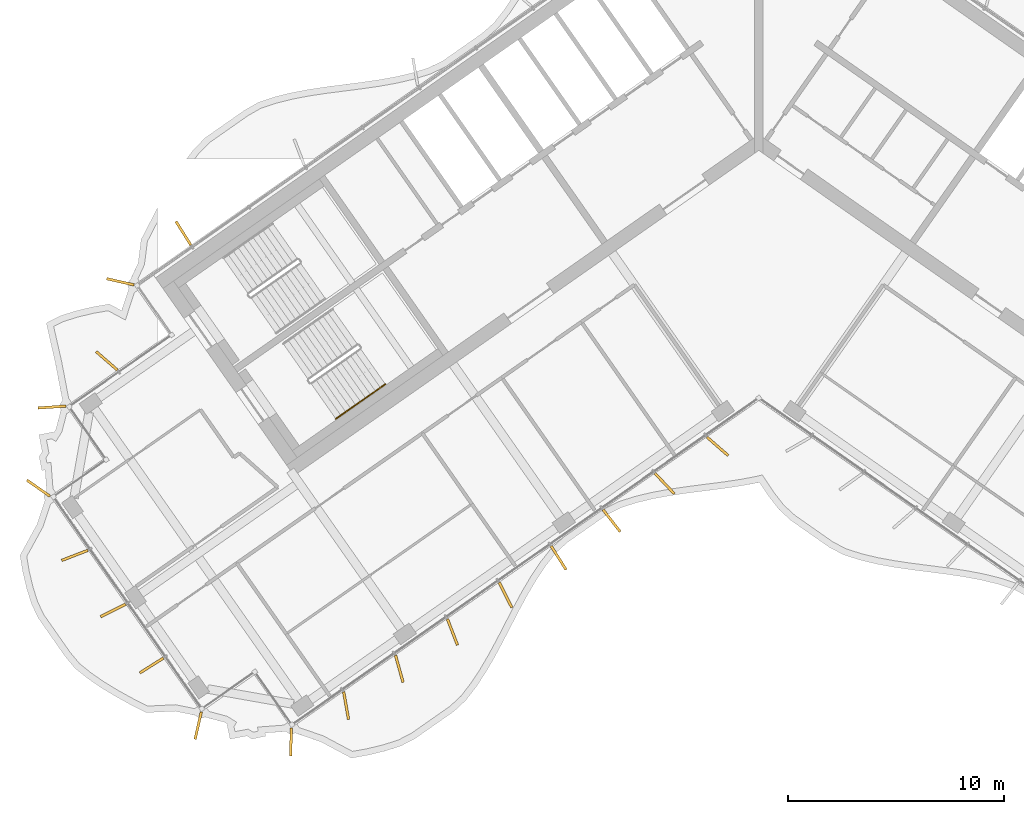
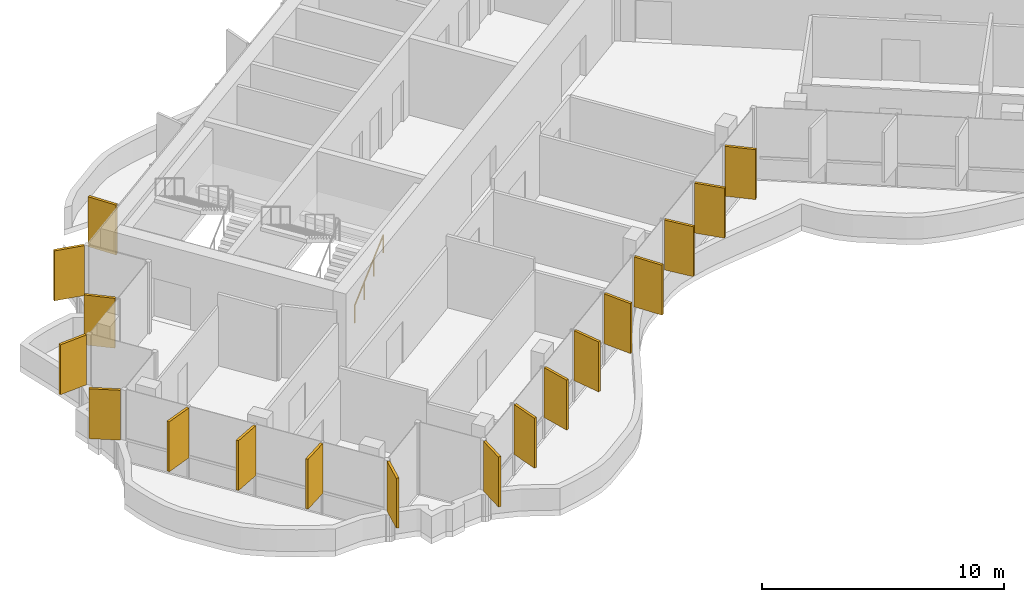
# One storey, part 16 of 20: 18 shading devices, 1 railing.
"""IFC4 building model written with IfcOpenShell, lengths in metres."""

from ifc_helpers import new_model, si_unit, direction, frame, origin, origin_2d, place, context, subcontext, project, spatial, rectangle, circle, extrude, material, layer, layer_set, type_object, element, save


model = new_model("IFC4")

# Units and contexts
model_context = context("Model", 3, precision=1e-05, world=origin(), true_north=direction((0.0, 1.0)))
body_context = subcontext(model_context, "Body", "Model", "MODEL_VIEW")
ifc_project = project(units=[si_unit("LENGTHUNIT", "METRE"), si_unit("AREAUNIT", "SQUARE_METRE"), si_unit("VOLUMEUNIT", "CUBIC_METRE"), si_unit("PLANEANGLEUNIT", "RADIAN"), si_unit("MASSUNIT", "GRAM", prefix="KILO")], contexts=[model_context])

# Site, building, storey
site_placement = place(None, origin())
site = spatial("IfcSite", under=ifc_project, at=site_placement, CompositionType="ELEMENT")
building_placement = place(site_placement, origin())
building = spatial("IfcBuilding", under=site, at=building_placement, Name="Tel Ilan Convention Tower", CompositionType="ELEMENT")
storey_placement = place(building_placement, frame((0.0, 0.0, 233.199951171875)))
storey = spatial("IfcBuildingStorey", under=building, at=storey_placement, Name="L54", CompositionType="ELEMENT", Elevation=233.199951171875)

# Shading devices
ifc_material_1 = material(Name="Aluminium, bronze anodised", Category="aluminium")
ifc_layer = layer(ifc_material_1, 0.1201171875)
ifc_layer_set = layer_set([ifc_layer], Name="FIN BRONZE 1300x120")
shading_device_type = type_object("IfcShadingDeviceType", Name="FIN BRONZE 1300x120", PredefinedType="USERDEFINED", material=ifc_layer_set)
for number, where, z_axis, x_axis, name in (
    (1, (-26.674072265625, -5.063720703125, 1.10009765625), (0.0, 0.0, 1.0), (-0.533204432798, 0.845986425922, 0.0), "FIN"),
    (2, (-29.594970703125, -7.31494140625, 1.10009765625), (0.0, 0.0, 1.0), (-0.975235208752, 0.221170268371, 0.0), "FIN"),
    (3, (-30.22607421875, -10.977294921875, 1.10009765625), (0.0, 0.0, 1.0), (-0.753435896329, 0.657521368568, 0.0), "FIN"),
    (4, (-32.76611328125, -13.12109375, 1.10009765625), (0.0, 0.0, 1.0), (-0.997697449973, -0.067821812994, 0.0), "FIN"),
    (5, (-33.3974609375, -16.88037109375, 1.10009765625), (0.0, 0.0, 1.0), (-0.819152044289, 0.573576436351, 0.0), "FIN"),
    (6, (-31.708984375, -19.998046875, 1.10009765625), (0.0, 0.0, 1.0), (-0.932883704733, -0.360177724803, 0.0), "FIN"),
    (7, (-29.929443359375, -22.55078125, 1.10009765625), (0.0, 0.0, 1.0), (-0.893632640321, -0.448799180206, 0.0), "FIN"),
    (8, (-28.144287109375, -25.100830078125, 1.10009765625), (0.0, 0.0, 1.0), (-0.845986425922, -0.533204432798, 0.0), "FIN"),
    (9, (-25.987060546875, -27.887451171875, 1.10009765625), (0.0, 0.0, 1.0), (-0.221170268371, -0.975235208752, 0.0), "FIN"),
    (10, (-21.68505859375, -28.645751953125, 1.10009765625), (0.0, 0.0, 1.0), (-0.029084718749, -0.999576950082, 0.0), "FIN"),
    (11, (-19.13037109375, -26.962890625, 1.10009765625), (0.0, 0.0, 1.0), (0.173648177667, -0.984807753012, 0.0), "FIN"),
    (12, (-16.664794921875, -25.259033203125, 1.10009765625), (0.0, 0.0, 1.0), (0.268172612768, -0.963370878614, 0.0), "FIN"),
    (13, (-14.201171875, -23.549072265625, 1.10009765625), (0.0, 0.0, 1.0), (0.360177724803, -0.932883704733, 0.0), "FIN"),
    (14, (-11.739501953125, -21.83349609375, 1.10009765625), (0.0, 0.0, 1.0), (0.448799180206, -0.893632640321, 0.0), "FIN"),
    (15, (-9.28076171875, -20.112060546875, 1.10009765625), (0.0, 0.0, 1.0), (0.533204432798, -0.845986425922, 0.0), "FIN"),
    (16, (-6.822021484375, -18.390380859375, 1.10009765625), (0.0, 0.0, 1.0), (0.612600545196, -0.790392669516, 0.0), "FIN"),
    (17, (-4.363525390625, -16.668701171875, 1.10009765625), (0.0, 0.0, 1.0), (0.686241637865, -0.727373641577, 0.0), "FIN"),
    (18, (-1.909423828125, -14.9423828125, 1.10009765625), (0.0, 0.0, 1.0), (0.753435896329, -0.657521368568, 0.0), "FIN"),
):
    element("IfcShadingDevice", number, at=place(storey_placement, frame(where, z_axis=z_axis, x_axis=x_axis)), inside=storey, type_object=shading_device_type, Name=name, ObjectType="FIN", PredefinedType="USERDEFINED", context=body_context, shape_type="SweptSolid", body=[
        extrude(rectangle(XDim=1.300048828125, YDim=0.1201171875, at=origin_2d()), origin(), (0.0, 0.0, 1.0), 2.52001953125),
    ])

# Railing
ifc_material_2 = material(Name="Stainless Steel Grade 316", Category="steel")
railing_type = type_object("IfcRailingType", Name="Stainless Steel Stair Handrail 900 mm", PredefinedType="HANDRAIL", material=ifc_material_2)
railing_placement = place(storey_placement, frame((-19.6064453125, -13.66748046875, 0.17724609375)))
element("IfcRailing", 19, at=railing_placement, inside=storey, type_object=railing_type, Name="L54 S2 stair handrail 1", PredefinedType="HANDRAIL", context=body_context, shape_type="SweptSolid", body=[
    extrude(circle(Radius=0.02392578125, at=origin_2d()), frame((0.0, 0.0, 0.8759765625), z_axis=(0.692123088272, 0.484596665743, 0.534912798717), x_axis=(-0.573550118428, 0.819170471667, 0.0)), (0.0, 0.0, 1.0), 3.31396484375),
    extrude(circle(Radius=0.02099609375, at=origin_2d()), origin(), (0.0, 0.0, 1.0), 0.851806640625),
    extrude(circle(Radius=0.02099609375, at=origin_2d()), frame((0.7646484375, 0.535400390625, 0.5908203125)), (0.0, 0.0, 1.0), 0.851806640625),
    extrude(circle(Radius=0.02099609375, at=origin_2d()), frame((1.529052734375, 1.070556640625, 1.181884765625)), (0.0, 0.0, 1.0), 0.851806640625),
    extrude(circle(Radius=0.02099609375, at=origin_2d()), frame((2.293701171875, 1.60595703125, 1.772705078125)), (0.0, 0.0, 1.0), 0.851806640625),
])

save(model, "model.ifc")
